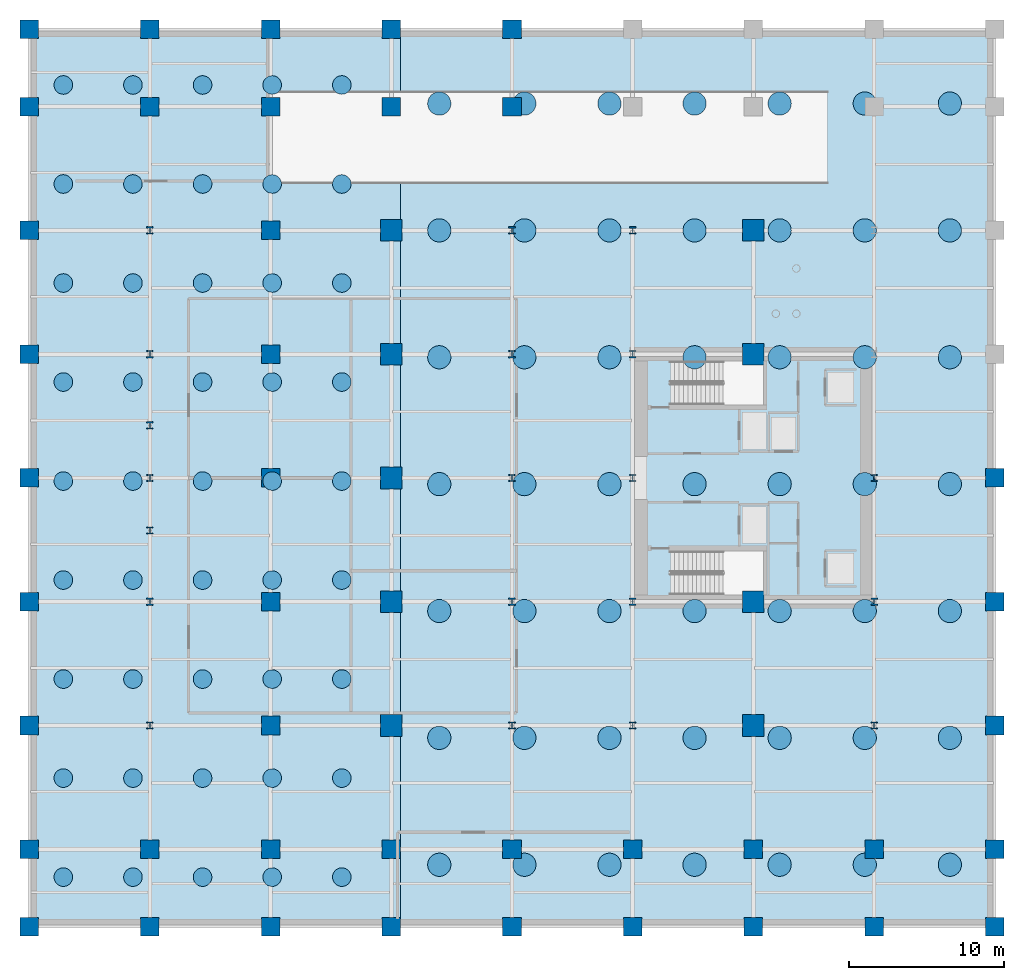
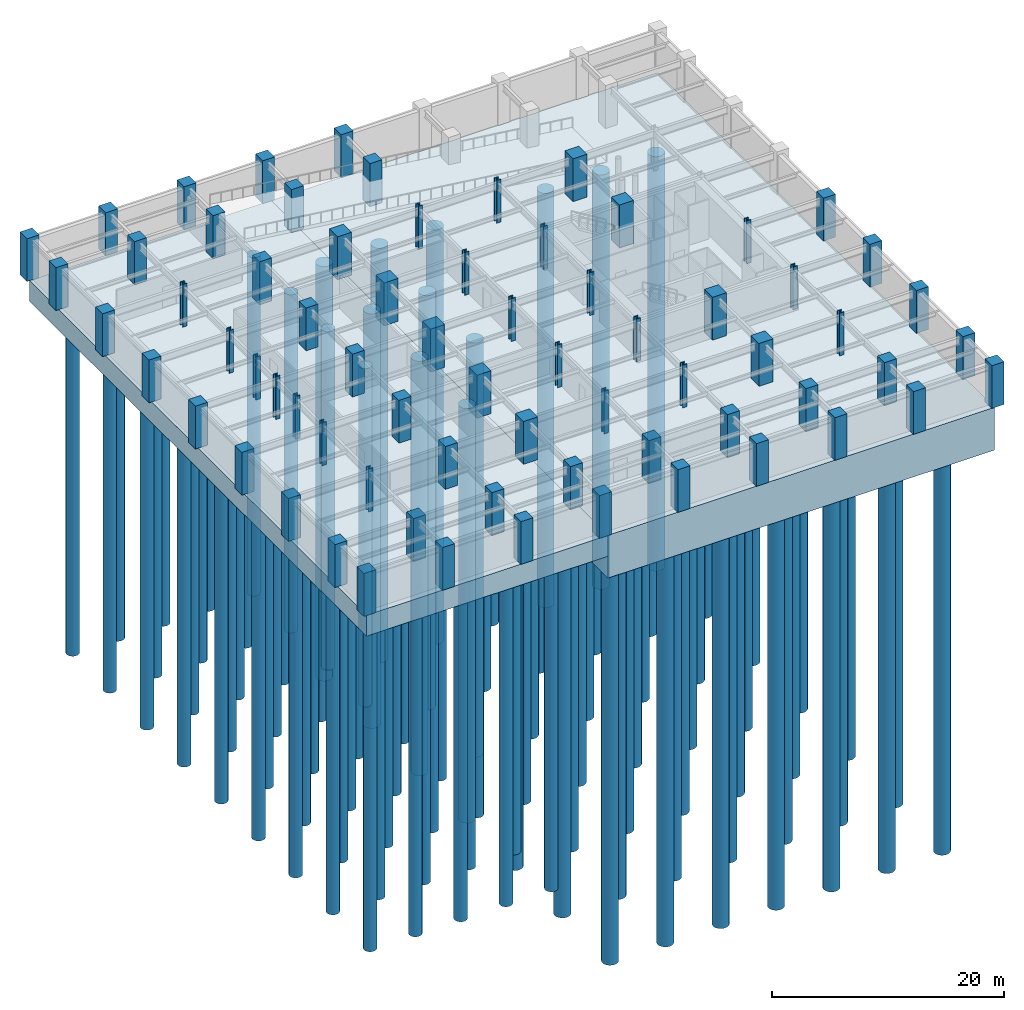
# One storey, part 1 of 10: 94 piles, 70 columns, 2 footings.
"""IFC4 building model written with IfcOpenShell, lengths in metres."""

from ifc_helpers import new_model, si_unit, direction, frame, origin, origin_2d, place, context, subcontext, project, spatial, rectangle, circle, i_section, extrude, material, layer, layer_set, material_profile, profile_set, type_object, element, save


model = new_model("IFC4")

# Units and contexts
model_context = context("Model", 3, precision=1e-05, world=origin(), true_north=direction((0.0, 1.0)))
body_context = subcontext(model_context, "Body", "Model", "MODEL_VIEW")
ifc_project = project(units=[si_unit("LENGTHUNIT", "METRE"), si_unit("AREAUNIT", "SQUARE_METRE"), si_unit("VOLUMEUNIT", "CUBIC_METRE"), si_unit("PLANEANGLEUNIT", "RADIAN"), si_unit("MASSUNIT", "GRAM", prefix="KILO")], contexts=[model_context])

# Site, building, storey
site_placement = place(None, origin())
site = spatial("IfcSite", under=ifc_project, at=site_placement, CompositionType="ELEMENT")
building_placement = place(site_placement, origin())
building = spatial("IfcBuilding", under=site, at=building_placement, Name="Veymaron Broadcast Tower", CompositionType="ELEMENT")
storey_placement = place(building_placement, frame((0.0, 0.0, -9.0)))
storey = spatial("IfcBuildingStorey", under=building, at=storey_placement, Name="B2", CompositionType="ELEMENT", Elevation=-9.0)

# Footings
ifc_material_1 = material(Name="Concrete C50/60", Category="concrete")
ifc_layer_1 = layer(ifc_material_1, 2.199951171875)
ifc_layer_set_1 = layer_set([ifc_layer_1], Name="Concrete C50/60")
footing_type_1 = type_object("IfcFootingType", Name="FTG-RAFT-2200W", PredefinedType="PILE_CAP", material=ifc_layer_set_1)
footing_1_placement = place(storey_placement, frame((12.0, 24.0, -2.64990234375), z_axis=(0.0, 0.0, 1.0), x_axis=(1.0, 0.0, 0.0)))
element("IfcFooting", 1, at=footing_1_placement, inside=storey, type_object=footing_type_1, Name="Piled Raft Foundation zone FTG-RF2", PredefinedType="PILE_CAP", context=body_context, shape_type="SweptSolid", body=[
    extrude(rectangle(XDim=24.0, YDim=58.0, at=origin_2d()), origin(), (0.0, 0.0, 1.0), 2.199951171875),
])
ifc_layer_2 = layer(ifc_material_1, 4.5)
ifc_layer_set_2 = layer_set([ifc_layer_2], Name="Concrete C50/60")
footing_type_2 = type_object("IfcFootingType", Name="FTG-RAFT-4500", PredefinedType="PILE_CAP", material=ifc_layer_set_2)
footing_2_placement = place(storey_placement, frame((43.199951171875, 24.0, -4.949951171875), z_axis=(0.0, 0.0, 1.0), x_axis=(1.0, 0.0, 0.0)))
element("IfcFooting", 2, at=footing_2_placement, inside=storey, type_object=footing_type_2, Name="Piled Raft Foundation zone FTG-RF1", PredefinedType="PILE_CAP", context=body_context, shape_type="SweptSolid", body=[
    extrude(rectangle(XDim=38.39990234375, YDim=58.0, at=origin_2d()), origin(), (0.0, 0.0, 1.0), 4.5),
])

# Piles
ifc_material_profile_1 = material_profile(ifc_material_1, circle(Radius=0.60009765625, at=origin_2d()), Name="PILE1200")
ifc_profile_set_1 = profile_set([ifc_material_profile_1], Name="Concrete C50/60")
pile_type_1 = type_object("IfcPileType", Name="PILE-BORED-1200", PredefinedType="BORED", material=ifc_profile_set_1)
for number, where, z_axis, x_axis, name in (
    (3, (2.199951171875, -1.800048828125, -2.550048828125), (0.0, 0.0, -1.0), (1.0, 0.0, 0.0), "Podium Rotary Bored Pile P2-050"),
    (4, (2.199951171875, 4.60009765625, -2.550048828125), (0.0, 0.0, -1.0), (1.0, 0.0, 0.0), "Podium Rotary Bored Pile P2-051"),
    (5, (2.199951171875, 11.0, -2.550048828125), (0.0, 0.0, -1.0), (1.0, 0.0, 0.0), "Podium Rotary Bored Pile P2-052"),
    (6, (2.199951171875, 17.39990234375, -2.550048828125), (0.0, 0.0, -1.0), (1.0, 0.0, 0.0), "Podium Rotary Bored Pile P2-053"),
    (7, (2.199951171875, 23.800048828125, -2.550048828125), (0.0, 0.0, -1.0), (1.0, 0.0, 0.0), "Podium Rotary Bored Pile P2-054"),
    (8, (2.199951171875, 30.199951171875, -2.550048828125), (0.0, 0.0, -1.0), (1.0, 0.0, 0.0), "Podium Rotary Bored Pile P2-055"),
    (9, (2.199951171875, 36.60009765625, -2.550048828125), (0.0, 0.0, -1.0), (1.0, 0.0, 0.0), "Podium Rotary Bored Pile P2-056"),
    (10, (2.199951171875, 43.0, -2.550048828125), (0.0, 0.0, -1.0), (1.0, 0.0, 0.0), "Podium Rotary Bored Pile P2-057"),
    (11, (2.199951171875, 49.39990234375, -2.550048828125), (0.0, 0.0, -1.0), (1.0, 0.0, 0.0), "Podium Rotary Bored Pile P2-058"),
    (12, (6.699951171875, -1.800048828125, -2.550048828125), (0.0, 0.0, -1.0), (1.0, 0.0, 0.0), "Podium Rotary Bored Pile P2-059"),
    (13, (6.699951171875, 4.60009765625, -2.550048828125), (0.0, 0.0, -1.0), (1.0, 0.0, 0.0), "Podium Rotary Bored Pile P2-060"),
    (14, (6.699951171875, 11.0, -2.550048828125), (0.0, 0.0, -1.0), (1.0, 0.0, 0.0), "Podium Rotary Bored Pile P2-061"),
    (15, (6.699951171875, 17.39990234375, -2.550048828125), (0.0, 0.0, -1.0), (1.0, 0.0, 0.0), "Podium Rotary Bored Pile P2-062"),
    (16, (6.699951171875, 23.800048828125, -2.550048828125), (0.0, 0.0, -1.0), (1.0, 0.0, 0.0), "Podium Rotary Bored Pile P2-063"),
    (17, (6.699951171875, 30.199951171875, -2.550048828125), (0.0, 0.0, -1.0), (1.0, 0.0, 0.0), "Podium Rotary Bored Pile P2-064"),
    (18, (6.699951171875, 36.60009765625, -2.550048828125), (0.0, 0.0, -1.0), (1.0, 0.0, 0.0), "Podium Rotary Bored Pile P2-065"),
    (19, (6.699951171875, 43.0, -2.550048828125), (0.0, 0.0, -1.0), (1.0, 0.0, 0.0), "Podium Rotary Bored Pile P2-066"),
    (20, (6.699951171875, 49.39990234375, -2.550048828125), (0.0, 0.0, -1.0), (1.0, 0.0, 0.0), "Podium Rotary Bored Pile P2-067"),
    (21, (11.199951171875, -1.800048828125, -2.550048828125), (0.0, 0.0, -1.0), (1.0, 0.0, 0.0), "Podium Rotary Bored Pile P2-068"),
    (22, (11.199951171875, 4.60009765625, -2.550048828125), (0.0, 0.0, -1.0), (1.0, 0.0, 0.0), "Podium Rotary Bored Pile P2-069"),
    (23, (11.199951171875, 11.0, -2.550048828125), (0.0, 0.0, -1.0), (1.0, 0.0, 0.0), "Podium Rotary Bored Pile P2-070"),
    (24, (11.199951171875, 17.39990234375, -2.550048828125), (0.0, 0.0, -1.0), (1.0, 0.0, 0.0), "Podium Rotary Bored Pile P2-071"),
    (25, (11.199951171875, 23.800048828125, -2.550048828125), (0.0, 0.0, -1.0), (1.0, 0.0, 0.0), "Podium Rotary Bored Pile P2-072"),
    (26, (11.199951171875, 30.199951171875, -2.550048828125), (0.0, 0.0, -1.0), (1.0, 0.0, 0.0), "Podium Rotary Bored Pile P2-073"),
    (27, (11.199951171875, 36.60009765625, -2.550048828125), (0.0, 0.0, -1.0), (1.0, 0.0, 0.0), "Podium Rotary Bored Pile P2-074"),
    (28, (11.199951171875, 43.0, -2.550048828125), (0.0, 0.0, -1.0), (1.0, 0.0, 0.0), "Podium Rotary Bored Pile P2-075"),
    (29, (11.199951171875, 49.39990234375, -2.550048828125), (0.0, 0.0, -1.0), (1.0, 0.0, 0.0), "Podium Rotary Bored Pile P2-076"),
    (30, (15.699951171875, -1.800048828125, -2.550048828125), (0.0, 0.0, -1.0), (1.0, 0.0, 0.0), "Podium Rotary Bored Pile P2-077"),
    (31, (15.699951171875, 4.60009765625, -2.550048828125), (0.0, 0.0, -1.0), (1.0, 0.0, 0.0), "Podium Rotary Bored Pile P2-078"),
    (32, (15.699951171875, 11.0, -2.550048828125), (0.0, 0.0, -1.0), (1.0, 0.0, 0.0), "Podium Rotary Bored Pile P2-079"),
    (33, (15.699951171875, 17.39990234375, -2.550048828125), (0.0, 0.0, -1.0), (1.0, 0.0, 0.0), "Podium Rotary Bored Pile P2-080"),
    (34, (15.699951171875, 23.800048828125, -2.550048828125), (0.0, 0.0, -1.0), (1.0, 0.0, 0.0), "Podium Rotary Bored Pile P2-081"),
    (35, (15.699951171875, 30.199951171875, -2.550048828125), (0.0, 0.0, -1.0), (1.0, 0.0, 0.0), "Podium Rotary Bored Pile P2-082"),
    (36, (15.699951171875, 36.60009765625, -2.550048828125), (0.0, 0.0, -1.0), (1.0, 0.0, 0.0), "Podium Rotary Bored Pile P2-083"),
    (37, (15.699951171875, 43.0, -2.550048828125), (0.0, 0.0, -1.0), (1.0, 0.0, 0.0), "Podium Rotary Bored Pile P2-084"),
    (38, (15.699951171875, 49.39990234375, -2.550048828125), (0.0, 0.0, -1.0), (1.0, 0.0, 0.0), "Podium Rotary Bored Pile P2-085"),
    (39, (20.199951171875, -1.800048828125, -2.550048828125), (0.0, 0.0, -1.0), (1.0, 0.0, 0.0), "Podium Rotary Bored Pile P2-086"),
    (40, (20.199951171875, 4.60009765625, -2.550048828125), (0.0, 0.0, -1.0), (1.0, 0.0, 0.0), "Podium Rotary Bored Pile P2-087"),
    (41, (20.199951171875, 11.0, -2.550048828125), (0.0, 0.0, -1.0), (1.0, 0.0, 0.0), "Podium Rotary Bored Pile P2-088"),
    (42, (20.199951171875, 17.39990234375, -2.550048828125), (0.0, 0.0, -1.0), (1.0, 0.0, 0.0), "Podium Rotary Bored Pile P2-089"),
    (43, (20.199951171875, 23.800048828125, -2.550048828125), (0.0, 0.0, -1.0), (1.0, 0.0, 0.0), "Podium Rotary Bored Pile P2-090"),
    (44, (20.199951171875, 30.199951171875, -2.550048828125), (0.0, 0.0, -1.0), (1.0, 0.0, 0.0), "Podium Rotary Bored Pile P2-091"),
    (45, (20.199951171875, 36.60009765625, -2.550048828125), (0.0, 0.0, -1.0), (1.0, 0.0, 0.0), "Podium Rotary Bored Pile P2-092"),
    (46, (20.199951171875, 43.0, -2.550048828125), (0.0, 0.0, -1.0), (1.0, 0.0, 0.0), "Podium Rotary Bored Pile P2-093"),
    (47, (20.199951171875, 49.39990234375, -2.550048828125), (0.0, 0.0, -1.0), (1.0, 0.0, 0.0), "Podium Rotary Bored Pile P2-094"),
):
    element("IfcPile", number, at=place(storey_placement, frame(where, z_axis=z_axis, x_axis=x_axis)), inside=storey, type_object=pile_type_1, Name=name, PredefinedType="BORED", context=body_context, shape_type="SweptSolid", body=[
        extrude(circle(Radius=0.60009765625, at=origin_2d()), origin(), (0.0, 0.0, 1.0), 35.550048828125),
    ])
ifc_material_profile_2 = material_profile(ifc_material_1, circle(Radius=0.75, at=origin_2d()), Name="PILE1500")
ifc_profile_set_2 = profile_set([ifc_material_profile_2], Name="Concrete C50/60")
pile_type_2 = type_object("IfcPileType", Name="PILE-BORED-1500", PredefinedType="BORED", material=ifc_profile_set_2)
for number, where, z_axis, x_axis, name in (
    (48, (26.5, -1.0, -4.85009765625), (0.0, 0.0, -1.0), (1.0, 0.0, 0.0), "Tower Rotary Bored Pile P1-001"),
    (49, (26.5, 7.199951171875, -4.85009765625), (0.0, 0.0, -1.0), (1.0, 0.0, 0.0), "Tower Rotary Bored Pile P1-002"),
    (50, (26.5, 15.39990234375, -4.85009765625), (0.0, 0.0, -1.0), (1.0, 0.0, 0.0), "Tower Rotary Bored Pile P1-003"),
    (51, (26.5, 23.60009765625, -4.85009765625), (0.0, 0.0, -1.0), (1.0, 0.0, 0.0), "Tower Rotary Bored Pile P1-004"),
    (52, (26.5, 31.800048828125, -4.85009765625), (0.0, 0.0, -1.0), (1.0, 0.0, 0.0), "Tower Rotary Bored Pile P1-005"),
    (53, (26.5, 40.0, -4.85009765625), (0.0, 0.0, -1.0), (1.0, 0.0, 0.0), "Tower Rotary Bored Pile P1-006"),
    (54, (26.5, 48.199951171875, -4.85009765625), (0.0, 0.0, -1.0), (1.0, 0.0, 0.0), "Tower Rotary Bored Pile P1-007"),
    (55, (32.0, -1.0, -4.85009765625), (0.0, 0.0, -1.0), (1.0, 0.0, 0.0), "Tower Rotary Bored Pile P1-008"),
    (56, (32.0, 7.199951171875, -4.85009765625), (0.0, 0.0, -1.0), (1.0, 0.0, 0.0), "Tower Rotary Bored Pile P1-009"),
    (57, (32.0, 15.39990234375, -4.85009765625), (0.0, 0.0, -1.0), (1.0, 0.0, 0.0), "Tower Rotary Bored Pile P1-010"),
    (58, (32.0, 23.60009765625, -4.85009765625), (0.0, 0.0, -1.0), (1.0, 0.0, 0.0), "Tower Rotary Bored Pile P1-011"),
    (59, (32.0, 31.800048828125, -4.85009765625), (0.0, 0.0, -1.0), (1.0, 0.0, 0.0), "Tower Rotary Bored Pile P1-012"),
    (60, (32.0, 40.0, -4.85009765625), (0.0, 0.0, -1.0), (1.0, 0.0, 0.0), "Tower Rotary Bored Pile P1-013"),
    (61, (32.0, 48.199951171875, -4.85009765625), (0.0, 0.0, -1.0), (1.0, 0.0, 0.0), "Tower Rotary Bored Pile P1-014"),
    (62, (37.5, -1.0, -4.85009765625), (0.0, 0.0, -1.0), (1.0, 0.0, 0.0), "Tower Rotary Bored Pile P1-015"),
    (63, (37.5, 7.199951171875, -4.85009765625), (0.0, 0.0, -1.0), (1.0, 0.0, 0.0), "Tower Rotary Bored Pile P1-016"),
    (64, (37.5, 15.39990234375, -4.85009765625), (0.0, 0.0, -1.0), (1.0, 0.0, 0.0), "Tower Rotary Bored Pile P1-017"),
    (65, (37.5, 23.60009765625, -4.85009765625), (0.0, 0.0, -1.0), (1.0, 0.0, 0.0), "Tower Rotary Bored Pile P1-018"),
    (66, (37.5, 31.800048828125, -4.85009765625), (0.0, 0.0, -1.0), (1.0, 0.0, 0.0), "Tower Rotary Bored Pile P1-019"),
    (67, (37.5, 40.0, -4.85009765625), (0.0, 0.0, -1.0), (1.0, 0.0, 0.0), "Tower Rotary Bored Pile P1-020"),
    (68, (37.5, 48.199951171875, -4.85009765625), (0.0, 0.0, -1.0), (1.0, 0.0, 0.0), "Tower Rotary Bored Pile P1-021"),
    (69, (43.0, -1.0, -4.85009765625), (0.0, 0.0, -1.0), (1.0, 0.0, 0.0), "Tower Rotary Bored Pile P1-022"),
    (70, (43.0, 7.199951171875, -4.85009765625), (0.0, 0.0, -1.0), (1.0, 0.0, 0.0), "Tower Rotary Bored Pile P1-023"),
    (71, (43.0, 15.39990234375, -4.85009765625), (0.0, 0.0, -1.0), (1.0, 0.0, 0.0), "Tower Rotary Bored Pile P1-024"),
    (72, (43.0, 23.60009765625, -4.85009765625), (0.0, 0.0, -1.0), (1.0, 0.0, 0.0), "Tower Rotary Bored Pile P1-025"),
    (73, (43.0, 31.800048828125, -4.85009765625), (0.0, 0.0, -1.0), (1.0, 0.0, 0.0), "Tower Rotary Bored Pile P1-026"),
    (74, (43.0, 40.0, -4.85009765625), (0.0, 0.0, -1.0), (1.0, 0.0, 0.0), "Tower Rotary Bored Pile P1-027"),
    (75, (43.0, 48.199951171875, -4.85009765625), (0.0, 0.0, -1.0), (1.0, 0.0, 0.0), "Tower Rotary Bored Pile P1-028"),
    (76, (48.5, -1.0, -4.85009765625), (0.0, 0.0, -1.0), (1.0, 0.0, 0.0), "Tower Rotary Bored Pile P1-029"),
    (77, (48.5, 7.199951171875, -4.85009765625), (0.0, 0.0, -1.0), (1.0, 0.0, 0.0), "Tower Rotary Bored Pile P1-030"),
    (78, (48.5, 15.39990234375, -4.85009765625), (0.0, 0.0, -1.0), (1.0, 0.0, 0.0), "Tower Rotary Bored Pile P1-031"),
    (79, (48.5, 23.60009765625, -4.85009765625), (0.0, 0.0, -1.0), (1.0, 0.0, 0.0), "Tower Rotary Bored Pile P1-032"),
    (80, (48.5, 31.800048828125, -4.85009765625), (0.0, 0.0, -1.0), (1.0, 0.0, 0.0), "Tower Rotary Bored Pile P1-033"),
    (81, (48.5, 40.0, -4.85009765625), (0.0, 0.0, -1.0), (1.0, 0.0, 0.0), "Tower Rotary Bored Pile P1-034"),
    (82, (48.5, 48.199951171875, -4.85009765625), (0.0, 0.0, -1.0), (1.0, 0.0, 0.0), "Tower Rotary Bored Pile P1-035"),
    (83, (54.0, -1.0, -4.85009765625), (0.0, 0.0, -1.0), (1.0, 0.0, 0.0), "Tower Rotary Bored Pile P1-036"),
    (84, (54.0, 7.199951171875, -4.85009765625), (0.0, 0.0, -1.0), (1.0, 0.0, 0.0), "Tower Rotary Bored Pile P1-037"),
    (85, (54.0, 15.39990234375, -4.85009765625), (0.0, 0.0, -1.0), (1.0, 0.0, 0.0), "Tower Rotary Bored Pile P1-038"),
    (86, (54.0, 23.60009765625, -4.85009765625), (0.0, 0.0, -1.0), (1.0, 0.0, 0.0), "Tower Rotary Bored Pile P1-039"),
    (87, (54.0, 31.800048828125, -4.85009765625), (0.0, 0.0, -1.0), (1.0, 0.0, 0.0), "Tower Rotary Bored Pile P1-040"),
    (88, (54.0, 40.0, -4.85009765625), (0.0, 0.0, -1.0), (1.0, 0.0, 0.0), "Tower Rotary Bored Pile P1-041"),
    (89, (54.0, 48.199951171875, -4.85009765625), (0.0, 0.0, -1.0), (1.0, 0.0, 0.0), "Tower Rotary Bored Pile P1-042"),
    (90, (59.5, -1.0, -4.85009765625), (0.0, 0.0, -1.0), (1.0, 0.0, 0.0), "Tower Rotary Bored Pile P1-043"),
    (91, (59.5, 7.199951171875, -4.85009765625), (0.0, 0.0, -1.0), (1.0, 0.0, 0.0), "Tower Rotary Bored Pile P1-044"),
    (92, (59.5, 15.39990234375, -4.85009765625), (0.0, 0.0, -1.0), (1.0, 0.0, 0.0), "Tower Rotary Bored Pile P1-045"),
    (93, (59.5, 23.60009765625, -4.85009765625), (0.0, 0.0, -1.0), (1.0, 0.0, 0.0), "Tower Rotary Bored Pile P1-046"),
    (94, (59.5, 31.800048828125, -4.85009765625), (0.0, 0.0, -1.0), (1.0, 0.0, 0.0), "Tower Rotary Bored Pile P1-047"),
    (95, (59.5, 40.0, -4.85009765625), (0.0, 0.0, -1.0), (1.0, 0.0, 0.0), "Tower Rotary Bored Pile P1-048"),
    (96, (59.5, 48.199951171875, -4.85009765625), (0.0, 0.0, -1.0), (1.0, 0.0, 0.0), "Tower Rotary Bored Pile P1-049"),
):
    element("IfcPile", number, at=place(storey_placement, frame(where, z_axis=z_axis, x_axis=x_axis)), inside=storey, type_object=pile_type_2, Name=name, PredefinedType="BORED", context=body_context, shape_type="SweptSolid", body=[
        extrude(circle(Radius=0.75, at=origin_2d()), origin(), (0.0, 0.0, 1.0), 43.550048828125),
    ])

# Columns
ifc_material_2 = material(Name="Structural steel ASTM A913 Gr 65", Category="steel")
ifc_material_profile_3 = material_profile(ifc_material_2, i_section(OverallWidth=0.424072265625, OverallDepth=0.47412109375, WebThickness=0.047607421875, FlangeThickness=0.076904296875, at=origin_2d()), Name="W360X634")
ifc_profile_set_3 = profile_set([ifc_material_profile_3], Name="Structural steel ASTM A913 Gr 65")
column_type_1 = type_object("IfcColumnType", Name="COL-MC1", PredefinedType="COLUMN", material=ifc_profile_set_3)
for number, where, z_axis, x_axis, name in (
    (97, (7.800048828125, 8.0, 0.0), (0.0, 0.0, 1.0), (1.0, 0.0, 0.0), "B2 column (7.8, 8.0)"),
    (98, (7.800048828125, 16.0, 0.0), (0.0, 0.0, 1.0), (1.0, 0.0, 0.0), "B2 column (7.8, 16.0)"),
    (99, (7.800048828125, 24.0, 0.0), (0.0, 0.0, 1.0), (1.0, 0.0, 0.0), "B2 column (7.8, 24.0)"),
    (100, (7.800048828125, 32.0, 0.0), (0.0, 0.0, 1.0), (1.0, 0.0, 0.0), "B2 column (7.8, 32.0)"),
    (101, (7.800048828125, 40.0, 0.0), (0.0, 0.0, 1.0), (1.0, 0.0, 0.0), "B2 column (7.8, 40.0)"),
    (102, (31.199951171875, 8.0, 0.0), (0.0, 0.0, 1.0), (1.0, 0.0, 0.0), "B2 column (31.2, 8.0)"),
    (103, (31.199951171875, 16.0, 0.0), (0.0, 0.0, 1.0), (1.0, 0.0, 0.0), "B2 column (31.2, 16.0)"),
    (104, (31.199951171875, 24.0, 0.0), (0.0, 0.0, 1.0), (1.0, 0.0, 0.0), "B2 column (31.2, 24.0)"),
    (105, (31.199951171875, 32.0, 0.0), (0.0, 0.0, 1.0), (1.0, 0.0, 0.0), "B2 column (31.2, 32.0)"),
    (106, (31.199951171875, 40.0, 0.0), (0.0, 0.0, 1.0), (1.0, 0.0, 0.0), "B2 column (31.2, 40.0)"),
    (107, (39.0, 8.0, 0.0), (0.0, 0.0, 1.0), (1.0, 0.0, 0.0), "B2 column (39.0, 8.0)"),
    (108, (39.0, 16.0, 0.0), (0.0, 0.0, 1.0), (1.0, 0.0, 0.0), "B2 column (39.0, 16.0)"),
    (109, (39.0, 24.0, 0.0), (0.0, 0.0, 1.0), (1.0, 0.0, 0.0), "B2 column (39.0, 24.0)"),
    (110, (39.0, 32.0, 0.0), (0.0, 0.0, 1.0), (1.0, 0.0, 0.0), "B2 column (39.0, 32.0)"),
    (111, (39.0, 40.0, 0.0), (0.0, 0.0, 1.0), (1.0, 0.0, 0.0), "B2 column (39.0, 40.0)"),
    (112, (54.60009765625, 8.0, 0.0), (0.0, 0.0, 1.0), (1.0, 0.0, 0.0), "B2 column (54.6, 8.0)"),
    (113, (54.60009765625, 16.0, 0.0), (0.0, 0.0, 1.0), (1.0, 0.0, 0.0), "B2 column (54.6, 16.0)"),
    (114, (54.60009765625, 24.0, 0.0), (0.0, 0.0, 1.0), (1.0, 0.0, 0.0), "B2 column (54.6, 24.0)"),
):
    element("IfcColumn", number, at=place(storey_placement, frame(where, z_axis=z_axis, x_axis=x_axis)), inside=storey, type_object=column_type_1, Name=name, PredefinedType="COLUMN", context=body_context, shape_type="SweptSolid", body=[
        extrude(i_section(OverallWidth=0.424072265625, OverallDepth=0.47412109375, WebThickness=0.047607421875, FlangeThickness=0.076904296875, at=origin_2d()), origin(), (0.0, 0.0, 1.0), 4.4951171875),
    ])
for number, where, z_axis, x_axis, name in (
    (115, (7.800048828125, 20.60009765625, 0.0), (0.0, 0.0, 1.0), (1.0, 0.0, 0.0), "B2 Mega Column podium base"),
    (116, (7.800048828125, 27.39990234375, 0.0), (0.0, 0.0, 1.0), (1.0, 0.0, 0.0), "B2 Mega Column podium base"),
):
    element("IfcColumn", number, at=place(storey_placement, frame(where, z_axis=z_axis, x_axis=x_axis)), inside=storey, type_object=column_type_1, Name=name, PredefinedType="COLUMN", context=body_context, shape_type="SweptSolid", body=[
        extrude(i_section(OverallWidth=0.424072265625, OverallDepth=0.47412109375, WebThickness=0.047607421875, FlangeThickness=0.076904296875, at=origin_2d()), origin(), (0.0, 0.0, 1.0), 4.493896484375),
    ])
ifc_material_3 = material(Name="Concrete C70/85", Category="concrete")
ifc_material_profile_4 = material_profile(ifc_material_3, rectangle(XDim=1.39990234375, YDim=1.39990234375, at=origin_2d()), Name="RC1400X1400")
ifc_profile_set_4 = profile_set([ifc_material_profile_4], Name="Concrete C70/85")
column_type_2 = type_object("IfcColumnType", Name="COL-RC1", PredefinedType="COLUMN", material=ifc_profile_set_4)
for number, where, z_axis, x_axis, name in (
    (117, (23.39990234375, 8.0, 0.0), (0.0, 0.0, 1.0), (1.0, 0.0, 0.0), "B2 column (23.4, 8.0)"),
    (118, (23.39990234375, 16.0, 0.0), (0.0, 0.0, 1.0), (1.0, 0.0, 0.0), "B2 column (23.4, 16.0)"),
    (119, (23.39990234375, 24.0, 0.0), (0.0, 0.0, 1.0), (1.0, 0.0, 0.0), "B2 column (23.4, 24.0)"),
    (120, (23.39990234375, 32.0, 0.0), (0.0, 0.0, 1.0), (1.0, 0.0, 0.0), "B2 column (23.4, 32.0)"),
    (121, (23.39990234375, 40.0, 0.0), (0.0, 0.0, 1.0), (1.0, 0.0, 0.0), "B2 column (23.4, 40.0)"),
    (122, (46.800048828125, 8.0, 0.0), (0.0, 0.0, 1.0), (1.0, 0.0, 0.0), "B2 column (46.8, 8.0)"),
    (123, (46.800048828125, 16.0, 0.0), (0.0, 0.0, 1.0), (1.0, 0.0, 0.0), "B2 column (46.8, 16.0)"),
    (124, (46.800048828125, 32.0, 0.0), (0.0, 0.0, 1.0), (1.0, 0.0, 0.0), "B2 column (46.8, 32.0)"),
    (125, (46.800048828125, 40.0, 0.0), (0.0, 0.0, 1.0), (1.0, 0.0, 0.0), "B2 column (46.8, 40.0)"),
):
    element("IfcColumn", number, at=place(storey_placement, frame(where, z_axis=z_axis, x_axis=x_axis)), inside=storey, type_object=column_type_2, Name=name, PredefinedType="COLUMN", context=body_context, shape_type="SweptSolid", body=[
        extrude(rectangle(XDim=1.39990234375, YDim=1.39990234375, at=origin_2d()), origin(), (0.0, 0.0, 1.0), 4.4951171875),
    ])
ifc_material_4 = material(Name="Concrete C60/75", Category="concrete")
ifc_material_profile_5 = material_profile(ifc_material_4, rectangle(XDim=1.199951171875, YDim=1.199951171875, at=origin_2d()), Name="RC1200X1200")
ifc_profile_set_5 = profile_set([ifc_material_profile_5], Name="Concrete C60/75")
column_type_3 = type_object("IfcColumnType", Name="COL-RC2", PredefinedType="COLUMN", material=ifc_profile_set_5)
for number, where, z_axis, x_axis, name in (
    (126, (0.0, -5.0, 0.0), (0.0, 0.0, 1.0), (1.0, 0.0, 0.0), "B2 column (0.0, -5.0)"),
    (127, (0.0, 0.0, 0.0), (0.0, 0.0, 1.0), (1.0, 0.0, 0.0), "B2 column (0.0, 0.0)"),
    (128, (0.0, 8.0, 0.0), (0.0, 0.0, 1.0), (1.0, 0.0, 0.0), "B2 column (0.0, 8.0)"),
    (129, (0.0, 16.0, 0.0), (0.0, 0.0, 1.0), (1.0, 0.0, 0.0), "B2 column (0.0, 16.0)"),
    (130, (0.0, 24.0, 0.0), (0.0, 0.0, 1.0), (1.0, 0.0, 0.0), "B2 column (0.0, 24.0)"),
    (131, (0.0, 32.0, 0.0), (0.0, 0.0, 1.0), (1.0, 0.0, 0.0), "B2 column (0.0, 32.0)"),
    (132, (0.0, 40.0, 0.0), (0.0, 0.0, 1.0), (1.0, 0.0, 0.0), "B2 column (0.0, 40.0)"),
    (133, (0.0, 48.0, 0.0), (0.0, 0.0, 1.0), (1.0, 0.0, 0.0), "B2 column (0.0, 48.0)"),
    (134, (0.0, 53.0, 0.0), (0.0, 0.0, 1.0), (1.0, 0.0, 0.0), "B2 column (0.0, 53.0)"),
    (135, (7.800048828125, -5.0, 0.0), (0.0, 0.0, 1.0), (1.0, 0.0, 0.0), "B2 column (7.8, -5.0)"),
    (136, (7.800048828125, 0.0, 0.0), (0.0, 0.0, 1.0), (1.0, 0.0, 0.0), "B2 column (7.8, 0.0)"),
    (137, (7.800048828125, 48.0, 0.0), (0.0, 0.0, 1.0), (1.0, 0.0, 0.0), "B2 column (7.8, 48.0)"),
    (138, (7.800048828125, 53.0, 0.0), (0.0, 0.0, 1.0), (1.0, 0.0, 0.0), "B2 column (7.8, 53.0)"),
    (139, (15.60009765625, -5.0, 0.0), (0.0, 0.0, 1.0), (1.0, 0.0, 0.0), "B2 column (15.6, -5.0)"),
    (140, (15.60009765625, 0.0, 0.0), (0.0, 0.0, 1.0), (1.0, 0.0, 0.0), "B2 column (15.6, 0.0)"),
    (141, (15.60009765625, 8.0, 0.0), (0.0, 0.0, 1.0), (1.0, 0.0, 0.0), "B2 column (15.6, 8.0)"),
    (142, (15.60009765625, 16.0, 0.0), (0.0, 0.0, 1.0), (1.0, 0.0, 0.0), "B2 column (15.6, 16.0)"),
    (143, (15.60009765625, 24.0, 0.0), (0.0, 0.0, 1.0), (1.0, 0.0, 0.0), "B2 column (15.6, 24.0)"),
    (144, (15.60009765625, 32.0, 0.0), (0.0, 0.0, 1.0), (1.0, 0.0, 0.0), "B2 column (15.6, 32.0)"),
    (145, (15.60009765625, 40.0, 0.0), (0.0, 0.0, 1.0), (1.0, 0.0, 0.0), "B2 column (15.6, 40.0)"),
    (146, (15.60009765625, 48.0, 0.0), (0.0, 0.0, 1.0), (1.0, 0.0, 0.0), "B2 column (15.6, 48.0)"),
    (147, (15.60009765625, 53.0, 0.0), (0.0, 0.0, 1.0), (1.0, 0.0, 0.0), "B2 column (15.6, 53.0)"),
    (148, (23.39990234375, -5.0, 0.0), (0.0, 0.0, 1.0), (1.0, 0.0, 0.0), "B2 column (23.4, -5.0)"),
    (149, (23.39990234375, 0.0, 0.0), (0.0, 0.0, 1.0), (1.0, 0.0, 0.0), "B2 column (23.4, 0.0)"),
    (150, (23.39990234375, 48.0, 0.0), (0.0, 0.0, 1.0), (1.0, 0.0, 0.0), "B2 column (23.4, 48.0)"),
    (151, (23.39990234375, 53.0, 0.0), (0.0, 0.0, 1.0), (1.0, 0.0, 0.0), "B2 column (23.4, 53.0)"),
    (152, (31.199951171875, -5.0, 0.0), (0.0, 0.0, 1.0), (1.0, 0.0, 0.0), "B2 column (31.2, -5.0)"),
    (153, (31.199951171875, 0.0, 0.0), (0.0, 0.0, 1.0), (1.0, 0.0, 0.0), "B2 column (31.2, 0.0)"),
    (154, (31.199951171875, 48.0, 0.0), (0.0, 0.0, 1.0), (1.0, 0.0, 0.0), "B2 column (31.2, 48.0)"),
    (155, (31.199951171875, 53.0, 0.0), (0.0, 0.0, 1.0), (1.0, 0.0, 0.0), "B2 column (31.2, 53.0)"),
    (156, (39.0, -5.0, 0.0), (0.0, 0.0, 1.0), (1.0, 0.0, 0.0), "B2 column (39.0, -5.0)"),
    (157, (39.0, 0.0, 0.0), (0.0, 0.0, 1.0), (1.0, 0.0, 0.0), "B2 column (39.0, 0.0)"),
    (158, (46.800048828125, -5.0, 0.0), (0.0, 0.0, 1.0), (1.0, 0.0, 0.0), "B2 column (46.8, -5.0)"),
    (159, (46.800048828125, 0.0, 0.0), (0.0, 0.0, 1.0), (1.0, 0.0, 0.0), "B2 column (46.8, 0.0)"),
    (160, (54.60009765625, -5.0, 0.0), (0.0, 0.0, 1.0), (1.0, 0.0, 0.0), "B2 column (54.6, -5.0)"),
    (161, (54.60009765625, 0.0, 0.0), (0.0, 0.0, 1.0), (1.0, 0.0, 0.0), "B2 column (54.6, 0.0)"),
    (162, (62.39990234375, -5.0, 0.0), (0.0, 0.0, 1.0), (1.0, 0.0, 0.0), "B2 column (62.4, -5.0)"),
    (163, (62.39990234375, 0.0, 0.0), (0.0, 0.0, 1.0), (1.0, 0.0, 0.0), "B2 column (62.4, 0.0)"),
    (164, (62.39990234375, 8.0, 0.0), (0.0, 0.0, 1.0), (1.0, 0.0, 0.0), "B2 column (62.4, 8.0)"),
    (165, (62.39990234375, 16.0, 0.0), (0.0, 0.0, 1.0), (1.0, 0.0, 0.0), "B2 column (62.4, 16.0)"),
    (166, (62.39990234375, 24.0, 0.0), (0.0, 0.0, 1.0), (1.0, 0.0, 0.0), "B2 column (62.4, 24.0)"),
):
    element("IfcColumn", number, at=place(storey_placement, frame(where, z_axis=z_axis, x_axis=x_axis)), inside=storey, type_object=column_type_3, Name=name, PredefinedType="COLUMN", context=body_context, shape_type="SweptSolid", body=[
        extrude(rectangle(XDim=1.199951171875, YDim=1.199951171875, at=origin_2d()), origin(), (0.0, 0.0, 1.0), 4.4951171875),
    ])

save(model, "model.ifc")
